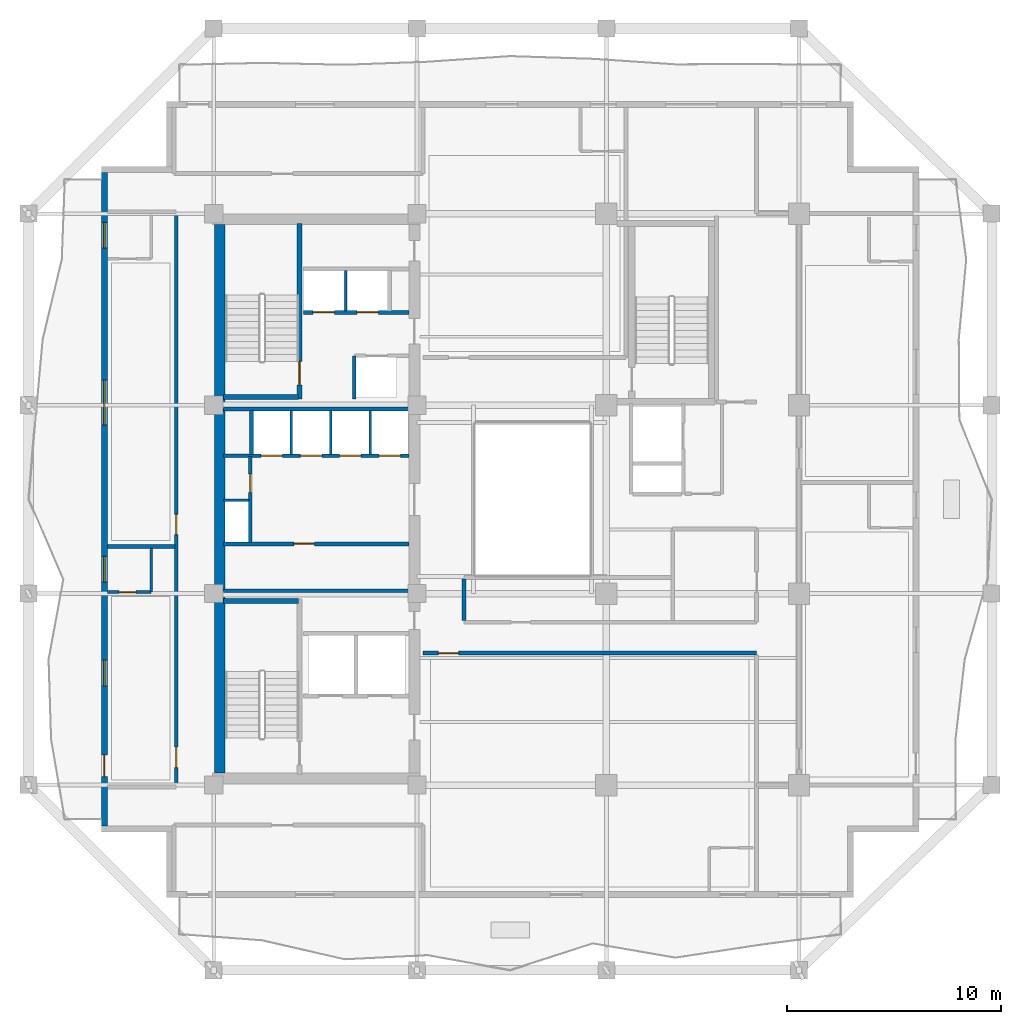
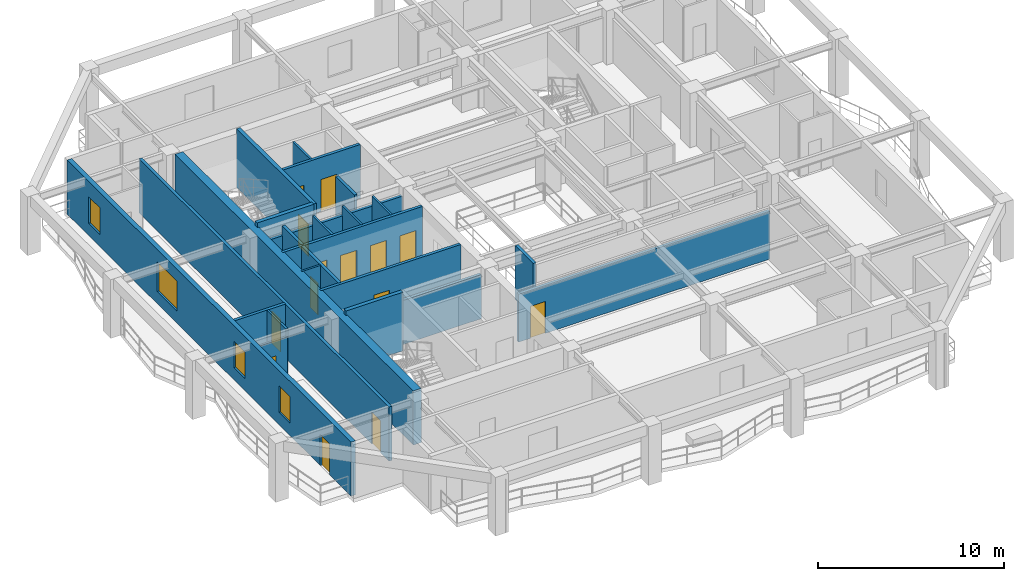
# One storey, part 3 of 10: 24 walls, 14 doors, 4 windows, 18 openings.
"""IFC4 building model written with IfcOpenShell, lengths in metres."""

from ifc_helpers import new_model, si_unit, direction, frame, frame_2d, origin, place, context, subcontext, project, spatial, rectangle, extrude, material, layer, layer_set, type_object, element, fill, save


model = new_model("IFC4")

# Units and contexts
model_context = context("Model", 3, precision=1e-05, world=origin(), true_north=direction((0.0, 1.0)))
body_context = subcontext(model_context, "Body", "Model", "MODEL_VIEW")
ifc_project = project(units=[si_unit("LENGTHUNIT", "METRE"), si_unit("AREAUNIT", "SQUARE_METRE"), si_unit("VOLUMEUNIT", "CUBIC_METRE"), si_unit("PLANEANGLEUNIT", "RADIAN"), si_unit("MASSUNIT", "GRAM", prefix="KILO")], contexts=[model_context])

# Site, building, storey
site_placement = place(None, origin())
site = spatial("IfcSite", under=ifc_project, at=site_placement, CompositionType="ELEMENT")
building_placement = place(site_placement, origin())
building = spatial("IfcBuilding", under=site, at=building_placement, Name="Kundavana Baori Tower", CompositionType="ELEMENT")
storey_placement = place(building_placement, frame((0.0, 0.0, 150.199951171875)))
storey = spatial("IfcBuildingStorey", under=building, at=storey_placement, Name="L36", CompositionType="ELEMENT", Elevation=150.199951171875)

# Wall
ifc_material_1 = material(Name="Concrete C50/60", Category="concrete")
ifc_layer_1 = layer(ifc_material_1, 0.39990234375, Name="WL-CORE-400")
ifc_layer_set_1 = layer_set([ifc_layer_1], Name="Concrete C50/60")
wall_type_1 = type_object("IfcWallType", Name="WL-CORE-400", PredefinedType="SHEAR", material=ifc_layer_set_1)
wall_1_placement = place(storey_placement, frame((15.89990234375, 23.860107421875, 0.0), z_axis=(0.0, 0.0, 1.0), x_axis=(1.0, 0.0, 0.0)))
element("IfcWall", 1, at=wall_1_placement, inside=storey, type_object=wall_type_1, Name="WL-L36-ST1-N", PredefinedType="SHEAR", context=body_context, shape_type="SweptSolid", body=[
    extrude(rectangle(XDim=3.52001953125, YDim=0.239990234375, at=frame_2d((1.760009765625, 0.0))), origin(), (0.0, 0.0, 1.0), 3.85009765625),
])

# Wall, opening, door
wall_2_placement = place(storey_placement, frame((19.4599609375, 33.300048828125, 0.0), z_axis=(0.0, 0.0, 1.0), x_axis=(0.0, 1.0, 0.0)))
wall_2 = element("IfcWall", 2, at=wall_2_placement, inside=storey, type_object=wall_type_1, Name="WL-L36-ST2-E", PredefinedType="SHEAR", context=body_context, shape_type="SweptSolid", body=[
    extrude(rectangle(XDim=8.179931640625, YDim=0.239990234375, at=frame_2d((4.08984375, 0.0))), origin(), (0.0, 0.0, 1.0), 3.85009765625),
])
opening_1_placement = place(wall_2_placement, frame((0.64990234375, 0.0, 0.0)))
opening_1 = element("IfcOpeningElement", 3, at=opening_1_placement, cuts=wall_2, Name="Opening FD-110", PredefinedType="OPENING", context=body_context, shape_type="SweptSolid", body=[
    extrude(rectangle(XDim=1.10009765625, YDim=2.10009765625, at=frame_2d((0.550048828125, 1.050048828125))), frame((0.0, 0.1298828125, 0.0), z_axis=(0.0, -1.0, 0.0), x_axis=(1.0, 0.0, 0.0)), (0.0, 0.0, 1.0), 0.260009765625),
])
ifc_material_2 = material(Name="Galvanised Steel Fire-Rated Door Leaf", Category="steel")
door_type_1 = type_object("IfcDoorType", Name="DR-FD120-1100", OperationType="NOTDEFINED", PredefinedType="DOOR", material=ifc_material_2)
door_1_placement = place(opening_1_placement, origin())
door_1 = element("IfcDoor", 4, at=door_1_placement, inside=storey, type_object=door_type_1, Name="DR-L36-ST2", OperationType="SINGLE_SWING_RIGHT", OverallHeight=2.10009765625, OverallWidth=1.10009765625, PredefinedType="DOOR", context=body_context, shape_type="SweptSolid", body=[
    extrude(rectangle(XDim=1.10009765625, YDim=2.10009765625, at=frame_2d((0.550048828125, 1.050048828125))), frame((0.0, 0.02490234375, 0.0), z_axis=(0.0, -1.0, 0.0), x_axis=(1.0, 0.0, 0.0)), (0.0, 0.0, 1.0), 0.050048828125),
])
fill(opening_1, door_1)

# Walls
wall_3_placement = place(storey_placement, frame((15.89990234375, 33.389892578125, 0.0), z_axis=(0.0, 0.0, 1.0), x_axis=(1.0, 0.0, 0.0)))
element("IfcWall", 5, at=wall_3_placement, inside=storey, type_object=wall_type_1, Name="WL-L36-ST2-S", PredefinedType="SHEAR", context=body_context, shape_type="SweptSolid", body=[
    extrude(rectangle(XDim=3.52001953125, YDim=0.239990234375, at=frame_2d((1.760009765625, 0.0))), origin(), (0.0, 0.0, 1.0), 3.85009765625),
])
ifc_material_3 = material(Name="Concrete C50/60", Category="concrete")
ifc_layer_2 = layer(ifc_material_3, 0.5, Name="WL-CORE-500")
ifc_layer_set_2 = layer_set([ifc_layer_2], Name="Concrete C50/60")
wall_type_2 = type_object("IfcWallType", Name="WL-CORE-500", PredefinedType="SHEAR", material=ifc_layer_set_2)
wall_4_placement = place(storey_placement, frame((15.739990234375, 15.81005859375, 0.0), z_axis=(0.0, 0.0, 1.0), x_axis=(0.0, 1.0, 0.0)))
element("IfcWall", 6, at=wall_4_placement, inside=storey, type_object=wall_type_2, Name="L36 Offset Core West Shear Wall", PredefinedType="SHEAR", context=body_context, shape_type="SweptSolid", body=[
    extrude(rectangle(XDim=25.6298828125, YDim=0.5, at=frame_2d((12.81494140625, 0.0))), origin(), (0.0, 0.0, 1.0), 3.550048828125),
])

# Wall, openings, door, windows
ifc_material_4 = material(Name="Red-Buff Dholpur Sandstone Cladding on Concrete C40/50", Category="masonry")
ifc_layer_3 = layer(ifc_material_4, 0.280029296875, Name="WL-EXT-SAND-280")
ifc_layer_set_3 = layer_set([ifc_layer_3], Name="Red-Buff Dholpur Sandstone Cladding on Concrete C40/50")
wall_type_3 = type_object("IfcWallType", Name="WL-EXT-SAND-280", PredefinedType="STANDARD", material=ifc_layer_set_3)
wall_5_placement = place(storey_placement, frame((10.340087890625, 43.8701171875, 0.0), z_axis=(0.0, 0.0, 1.0), x_axis=(0.0, -1.0, 0.0)))
wall_5 = element("IfcWall", 7, at=wall_5_placement, inside=storey, type_object=wall_type_3, Name="L36 Exterior Insulated Facade Wall 10", PredefinedType="STANDARD", context=body_context, shape_type="SweptSolid", body=[
    extrude(rectangle(XDim=30.5400390625, YDim=0.280029296875, at=frame_2d((15.27001953125, 0.0))), origin(), (0.0, 0.0, 1.0), 3.550048828125),
])
opening_2_placement = place(wall_5_placement, frame((27.219970703125, 0.0, 0.0)))
opening_2 = element("IfcOpeningElement", 8, at=opening_2_placement, cuts=wall_5, Name="Opening BD-1", PredefinedType="OPENING", context=body_context, shape_type="SweptSolid", body=[
    extrude(rectangle(XDim=1.0, YDim=2.050048828125, at=frame_2d((0.5, 1.02490234375))), frame((0.0, 0.14990234375, 0.0), z_axis=(0.0, -1.0, 0.0), x_axis=(1.0, 0.0, 0.0)), (0.0, 0.0, 1.0), 0.300048828125),
])
opening_3_placement = place(wall_5_placement, frame((22.780029296875, 0.0, 0.800048828125)))
opening_3 = element("IfcOpeningElement", 9, at=opening_3_placement, cuts=wall_5, Name="Opening W-03", PredefinedType="OPENING", context=body_context, shape_type="SweptSolid", body=[
    extrude(rectangle(XDim=1.199951171875, YDim=1.75, at=frame_2d((0.60009765625, 0.875))), frame((0.0, 0.14990234375, 0.0), z_axis=(0.0, -1.0, 0.0), x_axis=(1.0, 0.0, 0.0)), (0.0, 0.0, 1.0), 0.300048828125),
])
opening_4_placement = place(wall_5_placement, frame((17.93505859375, 0.0, 0.800048828125)))
opening_4 = element("IfcOpeningElement", 10, at=opening_4_placement, cuts=wall_5, Name="Opening W-03", PredefinedType="OPENING", context=body_context, shape_type="SweptSolid", body=[
    extrude(rectangle(XDim=1.199951171875, YDim=1.75, at=frame_2d((0.60009765625, 0.875))), frame((0.0, 0.14990234375, 0.0), z_axis=(0.0, -1.0, 0.0), x_axis=(1.0, 0.0, 0.0)), (0.0, 0.0, 1.0), 0.300048828125),
])
opening_5_placement = place(wall_5_placement, frame((9.695068359375, 0.0, 0.800048828125)))
opening_5 = element("IfcOpeningElement", 11, at=opening_5_placement, cuts=wall_5, Name="Opening W-05", PredefinedType="OPENING", context=body_context, shape_type="SweptSolid", body=[
    extrude(rectangle(XDim=2.10009765625, YDim=1.949951171875, at=frame_2d((1.050048828125, 0.97509765625))), frame((0.0, 0.14990234375, 0.0), z_axis=(0.0, -1.0, 0.0), x_axis=(1.0, 0.0, 0.0)), (0.0, 0.0, 1.0), 0.300048828125),
])
opening_6_placement = place(wall_5_placement, frame((2.324951171875, 0.0, 0.800048828125)))
opening_6 = element("IfcOpeningElement", 12, at=opening_6_placement, cuts=wall_5, Name="Opening W-03", PredefinedType="OPENING", context=body_context, shape_type="SweptSolid", body=[
    extrude(rectangle(XDim=1.199951171875, YDim=1.75, at=frame_2d((0.60009765625, 0.875))), frame((0.0, 0.14990234375, 0.0), z_axis=(0.0, -1.0, 0.0), x_axis=(1.0, 0.0, 0.0)), (0.0, 0.0, 1.0), 0.300048828125),
])
ifc_material_5 = material(Name="Architectural Patinated Bronze Metalwork")
door_type_2 = type_object("IfcDoorType", Name="DR-EXT-LOG-1000", OperationType="NOTDEFINED", PredefinedType="DOOR", material=ifc_material_5)
door_2_placement = place(opening_2_placement, frame((1.0, 0.0, 0.0), z_axis=(0.0, 0.0, 1.0), x_axis=(-1.0, 0.0, 0.0)))
door_2 = element("IfcDoor", 13, at=door_2_placement, inside=storey, type_object=door_type_2, Name="L36 Loggia Balcony Access Door W", OperationType="SINGLE_SWING_RIGHT", OverallHeight=2.050048828125, OverallWidth=1.0, PredefinedType="DOOR", context=body_context, shape_type="SweptSolid", body=[
    extrude(rectangle(XDim=1.0, YDim=2.050048828125, at=frame_2d((0.5, 1.02490234375))), frame((0.0, 0.02490234375, 0.0), z_axis=(0.0, -1.0, 0.0), x_axis=(1.0, 0.0, 0.0)), (0.0, 0.0, 1.0), 0.050048828125),
])
fill(opening_2, door_2)
ifc_material_6 = material(Name="Double-Glazed Solar-Control Low-E Insulated Glass", Category="glass")
window_type_1 = type_object("IfcWindowType", Name="WIN-LOG-1200x1750", PartitioningType="SINGLE_PANEL", PredefinedType="WINDOW", material=ifc_material_6)
window_1_placement = place(opening_3_placement, origin())
window_1 = element("IfcWindow", 14, at=window_1_placement, inside=storey, type_object=window_type_1, Name="L36 Recessed Loggia Window W-1", OverallHeight=1.75, OverallWidth=1.199951171875, PartitioningType="SINGLE_PANEL", PredefinedType="WINDOW", context=body_context, shape_type="SweptSolid", body=[
    extrude(rectangle(XDim=1.199951171875, YDim=1.75, at=frame_2d((0.60009765625, 0.875))), frame((0.0, 0.030029296875, 0.0), z_axis=(0.0, -1.0, 0.0), x_axis=(1.0, 0.0, 0.0)), (0.0, 0.0, 1.0), 0.06005859375),
])
fill(opening_3, window_1)
window_2_placement = place(opening_4_placement, origin())
window_2 = element("IfcWindow", 15, at=window_2_placement, inside=storey, type_object=window_type_1, Name="L36 Recessed Loggia Window W-2", OverallHeight=1.75, OverallWidth=1.199951171875, PartitioningType="SINGLE_PANEL", PredefinedType="WINDOW", context=body_context, shape_type="SweptSolid", body=[
    extrude(rectangle(XDim=1.199951171875, YDim=1.75, at=frame_2d((0.60009765625, 0.875))), frame((0.0, 0.030029296875, 0.0), z_axis=(0.0, -1.0, 0.0), x_axis=(1.0, 0.0, 0.0)), (0.0, 0.0, 1.0), 0.06005859375),
])
fill(opening_4, window_2)
window_3_placement = place(opening_6_placement, origin())
window_3 = element("IfcWindow", 16, at=window_3_placement, inside=storey, type_object=window_type_1, Name="L36 Recessed Loggia Window W-4", OverallHeight=1.75, OverallWidth=1.199951171875, PartitioningType="SINGLE_PANEL", PredefinedType="WINDOW", context=body_context, shape_type="SweptSolid", body=[
    extrude(rectangle(XDim=1.199951171875, YDim=1.75, at=frame_2d((0.60009765625, 0.875))), frame((0.0, 0.030029296875, 0.0), z_axis=(0.0, -1.0, 0.0), x_axis=(1.0, 0.0, 0.0)), (0.0, 0.0, 1.0), 0.06005859375),
])
fill(opening_6, window_3)
ifc_material_7 = material(Name="Double-Glazed Solar-Control Low-E Insulated Glass", Category="glass")
window_type_2 = type_object("IfcWindowType", Name="WIN-LOG-2100x1950", PartitioningType="SINGLE_PANEL", PredefinedType="WINDOW", material=ifc_material_7)
window_4_placement = place(opening_5_placement, origin())
window_4 = element("IfcWindow", 17, at=window_4_placement, inside=storey, type_object=window_type_2, Name="L36 Recessed Loggia Window W-3", OverallHeight=1.949951171875, OverallWidth=2.10009765625, PartitioningType="SINGLE_PANEL", PredefinedType="WINDOW", context=body_context, shape_type="SweptSolid", body=[
    extrude(rectangle(XDim=2.10009765625, YDim=1.949951171875, at=frame_2d((1.050048828125, 0.97509765625))), frame((0.0, 0.030029296875, 0.0), z_axis=(0.0, -1.0, 0.0), x_axis=(1.0, 0.0, 0.0)), (0.0, 0.0, 1.0), 0.06005859375),
])
fill(opening_5, window_4)

# Walls
ifc_material_8 = material(Name="Acoustic Gypsum Plasterboard on Galvanised Steel Studs", Category="steel")
ifc_layer_4 = layer(ifc_material_8, 0.1201171875, Name="WL-PART-120")
ifc_layer_set_4 = layer_set([ifc_layer_4], Name="Acoustic Gypsum Plasterboard on Galvanised Steel Studs")
wall_type_4 = type_object("IfcWallType", Name="WL-PART-120", PredefinedType="PARTITIONING", material=ifc_layer_set_4)
wall_6_placement = place(storey_placement, frame((15.89990234375, 28.56005859375, 0.0), z_axis=(0.0, 0.0, 1.0), x_axis=(1.0, 0.0, 0.0)))
element("IfcWall", 18, at=wall_6_placement, inside=storey, type_object=wall_type_4, Name="WL-L36-RSRW-N", PredefinedType="PARTITIONING", context=body_context, shape_type="SweptSolid", body=[
    extrude(rectangle(XDim=1.2001953125, YDim=0.1201171875, at=frame_2d((0.60009765625, 0.0))), origin(), (0.0, 0.0, 1.0), 3.550048828125),
])
for number, where, z_axis, x_axis, name in (
    (19, (19.080078125, 30.699951171875, 0.0), (0.0, 0.0, 1.0), (0.0, 1.0, 0.0), "WL-L36-LPMID-D1"),
    (20, (20.919921875, 30.699951171875, 0.0), (0.0, 0.0, 1.0), (0.0, 1.0, 0.0), "WL-L36-LPMID-D2"),
    (21, (22.760009765625, 30.699951171875, 0.0), (0.0, 0.0, 1.0), (0.0, 1.0, 0.0), "WL-L36-LPMID-D3"),
):
    element("IfcWall", number, at=place(storey_placement, frame(where, z_axis=z_axis, x_axis=x_axis)), inside=storey, type_object=wall_type_4, Name=name, PredefinedType="PARTITIONING", context=body_context, shape_type="SweptSolid", body=[
        extrude(rectangle(XDim=2.050048828125, YDim=0.1201171875, at=frame_2d((1.02490234375, 0.0))), origin(), (0.0, 0.0, 1.0), 3.550048828125),
    ])
wall_7_placement = place(storey_placement, frame((21.6201171875, 37.39990234375, 0.0), z_axis=(0.0, 0.0, 1.0), x_axis=(0.0, 1.0, 0.0)))
element("IfcWall", 22, at=wall_7_placement, inside=storey, type_object=wall_type_4, Name="WL-L36-HR-DIV1", PredefinedType="PARTITIONING", context=body_context, shape_type="SweptSolid", body=[
    extrude(rectangle(XDim=1.900146484375, YDim=0.1201171875, at=frame_2d((0.9501953125, 0.0))), origin(), (0.0, 0.0, 1.0), 3.550048828125),
])

# Wall, opening, door
ifc_material_9 = material(Name="Autoclaved Aerated Concrete Blockwork Masonry", Category="masonry")
ifc_layer_5 = layer(ifc_material_9, 0.18505859375, Name="WL-PART-180")
ifc_layer_set_5 = layer_set([ifc_layer_5], Name="Autoclaved Aerated Concrete Blockwork Masonry")
wall_type_5 = type_object("IfcWallType", Name="WL-PART-180", PredefinedType="SOLIDWALL", material=ifc_layer_set_5)
wall_8_placement = place(storey_placement, frame((25.219970703125, 21.419921875, 0.0), z_axis=(0.0, 0.0, 1.0), x_axis=(1.0, 0.0, 0.0)))
wall_8 = element("IfcWall", 23, at=wall_8_placement, inside=storey, type_object=wall_type_5, Name="WL-L36-HS", PredefinedType="SOLIDWALL", context=body_context, shape_type="SweptSolid", body=[
    extrude(rectangle(XDim=15.60009765625, YDim=0.18505859375, at=frame_2d((7.800048828125, 0.0))), origin(), (0.0, 0.0, 1.0), 3.150146484375),
])
opening_7_placement = place(wall_8_placement, frame((0.72998046875, 0.0, 0.0)))
opening_7 = element("IfcOpeningElement", 24, at=opening_7_placement, cuts=wall_8, Name="Opening FD-095", PredefinedType="OPENING", context=body_context, shape_type="SweptSolid", body=[
    extrude(rectangle(XDim=0.949951171875, YDim=2.10009765625, at=frame_2d((0.47509765625, 1.050048828125))), frame((0.0, 0.1025390625, 0.0), z_axis=(0.0, -1.0, 0.0), x_axis=(1.0, 0.0, 0.0)), (0.0, 0.0, 1.0), 0.205078125),
])
ifc_material_10 = material(Name="Engineered Teak Fire-Rated Timber Door Leaf", Category="wood")
door_type_3 = type_object("IfcDoorType", Name="DR-FD60-950", OperationType="NOTDEFINED", PredefinedType="DOOR", material=ifc_material_10)
door_3_placement = place(opening_7_placement, frame((0.949951171875, 0.0, 0.0), z_axis=(0.0, 0.0, 1.0), x_axis=(-1.0, 0.0, 0.0)))
door_3 = element("IfcDoor", 25, at=door_3_placement, inside=storey, type_object=door_type_3, Name="DR-L36-HK-S1-ENT", OperationType="SINGLE_SWING_RIGHT", OverallHeight=2.10009765625, OverallWidth=0.949951171875, PredefinedType="DOOR", context=body_context, shape_type="SweptSolid", body=[
    extrude(rectangle(XDim=0.949951171875, YDim=2.10009765625, at=frame_2d((0.47509765625, 1.050048828125))), frame((0.0, 0.02490234375, 0.0), z_axis=(0.0, -1.0, 0.0), x_axis=(1.0, 0.0, 0.0)), (0.0, 0.0, 1.0), 0.050048828125),
])
fill(opening_7, door_3)

# Wall, openings, doors
wall_9_placement = place(storey_placement, frame((13.699951171875, 15.159912109375, 0.0), z_axis=(0.0, 0.0, 1.0), x_axis=(0.0, 1.0, 0.0)))
wall_9 = element("IfcWall", 26, at=wall_9_placement, inside=storey, type_object=wall_type_5, Name="WL-L36-HW", PredefinedType="SOLIDWALL", context=body_context, shape_type="SweptSolid", body=[
    extrude(rectangle(XDim=26.880126953125, YDim=0.18505859375, at=frame_2d((13.43994140625, 0.0))), origin(), (0.0, 0.0, 1.0), 3.550048828125),
])
opening_8_placement = place(wall_9_placement, frame((0.909912109375, 0.0, 0.0)))
opening_8 = element("IfcOpeningElement", 27, at=opening_8_placement, cuts=wall_9, Name="Opening FD-095", PredefinedType="OPENING", context=body_context, shape_type="SweptSolid", body=[
    extrude(rectangle(XDim=0.949951171875, YDim=2.10009765625, at=frame_2d((0.47509765625, 1.050048828125))), frame((0.0, 0.1025390625, 0.0), z_axis=(0.0, -1.0, 0.0), x_axis=(1.0, 0.0, 0.0)), (0.0, 0.0, 1.0), 0.205078125),
])
opening_9_placement = place(wall_9_placement, frame((11.7900390625, 0.0, 0.0)))
opening_9 = element("IfcOpeningElement", 28, at=opening_9_placement, cuts=wall_9, Name="Opening FD-095", PredefinedType="OPENING", context=body_context, shape_type="SweptSolid", body=[
    extrude(rectangle(XDim=0.949951171875, YDim=2.10009765625, at=frame_2d((0.47509765625, 1.050048828125))), frame((0.0, 0.1025390625, 0.0), z_axis=(0.0, -1.0, 0.0), x_axis=(1.0, 0.0, 0.0)), (0.0, 0.0, 1.0), 0.205078125),
])
door_4_placement = place(opening_8_placement, origin())
door_4 = element("IfcDoor", 29, at=door_4_placement, inside=storey, type_object=door_type_3, Name="DR-L36-HK-W1-ENT", OperationType="SINGLE_SWING_LEFT", OverallHeight=2.10009765625, OverallWidth=0.949951171875, PredefinedType="DOOR", context=body_context, shape_type="SweptSolid", body=[
    extrude(rectangle(XDim=0.949951171875, YDim=2.10009765625, at=frame_2d((0.47509765625, 1.050048828125))), frame((0.0, 0.02490234375, 0.0), z_axis=(0.0, -1.0, 0.0), x_axis=(1.0, 0.0, 0.0)), (0.0, 0.0, 1.0), 0.050048828125),
])
fill(opening_8, door_4)
door_5_placement = place(opening_9_placement, origin())
door_5 = element("IfcDoor", 30, at=door_5_placement, inside=storey, type_object=door_type_3, Name="DR-L36-HK-W2-ENT", OperationType="SINGLE_SWING_LEFT", OverallHeight=2.10009765625, OverallWidth=0.949951171875, PredefinedType="DOOR", context=body_context, shape_type="SweptSolid", body=[
    extrude(rectangle(XDim=0.949951171875, YDim=2.10009765625, at=frame_2d((0.47509765625, 1.050048828125))), frame((0.0, 0.02490234375, 0.0), z_axis=(0.0, -1.0, 0.0), x_axis=(1.0, 0.0, 0.0)), (0.0, 0.0, 1.0), 0.050048828125),
])
fill(opening_9, door_5)

# Walls
wall_10_placement = place(storey_placement, frame((27.14990234375, 22.93994140625, 0.0), z_axis=(0.0, 0.0, 1.0), x_axis=(0.0, 1.0, 0.0)))
element("IfcWall", 31, at=wall_10_placement, inside=storey, type_object=wall_type_5, Name="WL-L36-HPN2", PredefinedType="SOLIDWALL", context=body_context, shape_type="SweptSolid", body=[
    extrude(rectangle(XDim=1.93994140625, YDim=0.18505859375, at=frame_2d((0.969970703125, 0.0))), origin(), (0.0, 0.0, 1.0), 3.550048828125),
])
wall_11_placement = place(storey_placement, frame((10.47998046875, 26.39990234375, 0.0), z_axis=(0.0, 0.0, 1.0), x_axis=(1.0, 0.0, 0.0)))
element("IfcWall", 32, at=wall_11_placement, inside=storey, type_object=wall_type_5, Name="WL-L36-HWD1", PredefinedType="SOLIDWALL", context=body_context, shape_type="SweptSolid", body=[
    extrude(rectangle(XDim=3.159912109375, YDim=0.18505859375, at=frame_2d((1.580078125, 0.0))), origin(), (0.0, 0.0, 1.0), 3.550048828125),
])

# Wall, opening, door
ifc_material_11 = material(Name="Autoclaved Aerated Concrete Blockwork Masonry", Category="masonry")
ifc_layer_6 = layer(ifc_material_11, 0.179931640625, Name="WL-SHAFT-180")
ifc_layer_set_6 = layer_set([ifc_layer_6], Name="Autoclaved Aerated Concrete Blockwork Masonry")
wall_type_6 = type_object("IfcWallType", Name="WL-SHAFT-180", PredefinedType="SOLIDWALL", material=ifc_layer_set_6)
wall_12_placement = place(storey_placement, frame((15.89990234375, 26.52001953125, 0.0), z_axis=(0.0, 0.0, 1.0), x_axis=(1.0, 0.0, 0.0)))
wall_12 = element("IfcWall", 33, at=wall_12_placement, inside=storey, type_object=wall_type_6, Name="WL-L36-LPLOW-N", PredefinedType="SOLIDWALL", context=body_context, shape_type="SweptSolid", body=[
    extrude(rectangle(XDim=8.68017578125, YDim=0.179931640625, at=frame_2d((4.340087890625, 0.0))), origin(), (0.0, 0.0, 1.0), 3.550048828125),
])
opening_10_placement = place(wall_12_placement, frame((3.300048828125, 0.0, 0.0)))
opening_10 = element("IfcOpeningElement", 34, at=opening_10_placement, cuts=wall_12, Name="Opening FD-095", PredefinedType="OPENING", context=body_context, shape_type="SweptSolid", body=[
    extrude(rectangle(XDim=0.949951171875, YDim=2.10009765625, at=frame_2d((0.47509765625, 1.050048828125))), frame((0.0, 0.10009765625, 0.0), z_axis=(0.0, -1.0, 0.0), x_axis=(1.0, 0.0, 0.0)), (0.0, 0.0, 1.0), 0.199951171875),
])
door_6_placement = place(opening_10_placement, origin())
door_6 = element("IfcDoor", 35, at=door_6_placement, inside=storey, type_object=door_type_3, Name="DR-L36-FRLOW1", OperationType="SINGLE_SWING_LEFT", OverallHeight=2.10009765625, OverallWidth=0.949951171875, PredefinedType="DOOR", context=body_context, shape_type="SweptSolid", body=[
    extrude(rectangle(XDim=0.949951171875, YDim=2.10009765625, at=frame_2d((0.47509765625, 1.050048828125))), frame((0.0, 0.02490234375, 0.0), z_axis=(0.0, -1.0, 0.0), x_axis=(1.0, 0.0, 0.0)), (0.0, 0.0, 1.0), 0.050048828125),
])
fill(opening_10, door_6)

# Wall
wall_13_placement = place(storey_placement, frame((15.89990234375, 24.330078125, 0.0), z_axis=(0.0, 0.0, 1.0), x_axis=(1.0, 0.0, 0.0)))
element("IfcWall", 36, at=wall_13_placement, inside=storey, type_object=wall_type_6, Name="WL-L36-LPLOW-S", PredefinedType="SOLIDWALL", context=body_context, shape_type="SweptSolid", body=[
    extrude(rectangle(XDim=8.68017578125, YDim=0.179931640625, at=frame_2d((4.340087890625, 0.0))), origin(), (0.0, 0.0, 1.0), 2.900146484375),
])

# Wall, opening, door
wall_14_placement = place(storey_placement, frame((17.159912109375, 26.580078125, 0.0), z_axis=(0.0, 0.0, 1.0), x_axis=(0.0, 1.0, 0.0)))
wall_14 = element("IfcWall", 37, at=wall_14_placement, inside=storey, type_object=wall_type_6, Name="WL-L36-RSRW-E", PredefinedType="SOLIDWALL", context=body_context, shape_type="SweptSolid", body=[
    extrude(rectangle(XDim=4.02001953125, YDim=0.179931640625, at=frame_2d((2.010009765625, 0.0))), origin(), (0.0, 0.0, 1.0), 3.550048828125),
])
opening_11_placement = place(wall_14_placement, frame((2.35009765625, 0.0, 0.0)))
opening_11 = element("IfcOpeningElement", 38, at=opening_11_placement, cuts=wall_14, Name="Opening FD-085", PredefinedType="OPENING", context=body_context, shape_type="SweptSolid", body=[
    extrude(rectangle(XDim=0.85009765625, YDim=2.06005859375, at=frame_2d((0.425048828125, 1.030029296875))), frame((0.0, 0.10009765625, 0.0), z_axis=(0.0, -1.0, 0.0), x_axis=(1.0, 0.0, 0.0)), (0.0, 0.0, 1.0), 0.199951171875),
])
ifc_material_12 = material(Name="Galvanised Steel Fire-Rated Door Leaf", Category="steel")
door_type_4 = type_object("IfcDoorType", Name="DR-FD60-850", OperationType="NOTDEFINED", PredefinedType="DOOR", material=ifc_material_12)
door_7_placement = place(opening_11_placement, origin())
door_7 = element("IfcDoor", 39, at=door_7_placement, inside=storey, type_object=door_type_4, Name="DR-L36-CLN", OperationType="SINGLE_SWING_RIGHT", OverallHeight=2.06005859375, OverallWidth=0.85009765625, PredefinedType="DOOR", context=body_context, shape_type="SweptSolid", body=[
    extrude(rectangle(XDim=0.85009765625, YDim=2.06005859375, at=frame_2d((0.425048828125, 1.030029296875))), frame((0.0, 0.02490234375, 0.0), z_axis=(0.0, -1.0, 0.0), x_axis=(1.0, 0.0, 0.0)), (0.0, 0.0, 1.0), 0.050048828125),
])
fill(opening_11, door_7)

# Wall, openings, doors
wall_15_placement = place(storey_placement, frame((15.89990234375, 30.639892578125, 0.0), z_axis=(0.0, 0.0, 1.0), x_axis=(1.0, 0.0, 0.0)))
wall_15 = element("IfcWall", 40, at=wall_15_placement, inside=storey, type_object=wall_type_6, Name="WL-L36-LPMID-S", PredefinedType="SOLIDWALL", context=body_context, shape_type="SweptSolid", body=[
    extrude(rectangle(XDim=8.68017578125, YDim=0.179931640625, at=frame_2d((4.340087890625, 0.0))), origin(), (0.0, 0.0, 1.0), 3.550048828125),
])
opening_12_placement = place(wall_15_placement, frame((1.760009765625, 0.0, 0.0)))
opening_12 = element("IfcOpeningElement", 41, at=opening_12_placement, cuts=wall_15, Name="Opening LD-100", PredefinedType="OPENING", context=body_context, shape_type="SweptSolid", body=[
    extrude(rectangle(XDim=1.0, YDim=2.10009765625, at=frame_2d((0.5, 1.050048828125))), frame((0.0, 0.10009765625, 0.0), z_axis=(0.0, -1.0, 0.0), x_axis=(1.0, 0.0, 0.0)), (0.0, 0.0, 1.0), 0.199951171875),
])
opening_13_placement = place(wall_15_placement, frame((3.60009765625, 0.0, 0.0)))
opening_13 = element("IfcOpeningElement", 42, at=opening_13_placement, cuts=wall_15, Name="Opening LD-100", PredefinedType="OPENING", context=body_context, shape_type="SweptSolid", body=[
    extrude(rectangle(XDim=1.0, YDim=2.10009765625, at=frame_2d((0.5, 1.050048828125))), frame((0.0, 0.10009765625, 0.0), z_axis=(0.0, -1.0, 0.0), x_axis=(1.0, 0.0, 0.0)), (0.0, 0.0, 1.0), 0.199951171875),
])
opening_14_placement = place(wall_15_placement, frame((5.43994140625, 0.0, 0.0)))
opening_14 = element("IfcOpeningElement", 43, at=opening_14_placement, cuts=wall_15, Name="Opening LD-100", PredefinedType="OPENING", context=body_context, shape_type="SweptSolid", body=[
    extrude(rectangle(XDim=1.0, YDim=2.10009765625, at=frame_2d((0.5, 1.050048828125))), frame((0.0, 0.10009765625, 0.0), z_axis=(0.0, -1.0, 0.0), x_axis=(1.0, 0.0, 0.0)), (0.0, 0.0, 1.0), 0.199951171875),
])
opening_15_placement = place(wall_15_placement, frame((7.280029296875, 0.0, 0.0)))
opening_15 = element("IfcOpeningElement", 44, at=opening_15_placement, cuts=wall_15, Name="Opening LD-100", PredefinedType="OPENING", context=body_context, shape_type="SweptSolid", body=[
    extrude(rectangle(XDim=1.0, YDim=2.10009765625, at=frame_2d((0.5, 1.050048828125))), frame((0.0, 0.10009765625, 0.0), z_axis=(0.0, -1.0, 0.0), x_axis=(1.0, 0.0, 0.0)), (0.0, 0.0, 1.0), 0.199951171875),
])
ifc_material_13 = material(Name="Galvanised Steel Fire-Rated Door Leaf", Category="steel")
door_type_5 = type_object("IfcDoorType", Name="DR-SLIDE-LD1000", OperationType="NOTDEFINED", PredefinedType="DOOR", material=ifc_material_13)
door_8_placement = place(opening_12_placement, frame((1.0, 0.0, 0.0), z_axis=(0.0, 0.0, 1.0), x_axis=(-1.0, 0.0, 0.0)))
door_8 = element("IfcDoor", 45, at=door_8_placement, inside=storey, type_object=door_type_5, Name="DR-L36-LD-LP-05", OperationType="DOUBLE_DOOR_SLIDING", OverallHeight=2.10009765625, OverallWidth=1.0, PredefinedType="DOOR", context=body_context, shape_type="SweptSolid", body=[
    extrude(rectangle(XDim=1.0, YDim=2.10009765625, at=frame_2d((0.5, 1.050048828125))), frame((0.0, 0.02490234375, 0.0), z_axis=(0.0, -1.0, 0.0), x_axis=(1.0, 0.0, 0.0)), (0.0, 0.0, 1.0), 0.050048828125),
])
fill(opening_12, door_8)
door_9_placement = place(opening_13_placement, frame((1.0, 0.0, 0.0), z_axis=(0.0, 0.0, 1.0), x_axis=(-1.0, 0.0, 0.0)))
door_9 = element("IfcDoor", 46, at=door_9_placement, inside=storey, type_object=door_type_5, Name="DR-L36-LD-LP-06", OperationType="DOUBLE_DOOR_SLIDING", OverallHeight=2.10009765625, OverallWidth=1.0, PredefinedType="DOOR", context=body_context, shape_type="SweptSolid", body=[
    extrude(rectangle(XDim=1.0, YDim=2.10009765625, at=frame_2d((0.5, 1.050048828125))), frame((0.0, 0.02490234375, 0.0), z_axis=(0.0, -1.0, 0.0), x_axis=(1.0, 0.0, 0.0)), (0.0, 0.0, 1.0), 0.050048828125),
])
fill(opening_13, door_9)
door_10_placement = place(opening_14_placement, frame((1.0, 0.0, 0.0), z_axis=(0.0, 0.0, 1.0), x_axis=(-1.0, 0.0, 0.0)))
door_10 = element("IfcDoor", 47, at=door_10_placement, inside=storey, type_object=door_type_5, Name="DR-L36-LD-LP-07", OperationType="DOUBLE_DOOR_SLIDING", OverallHeight=2.10009765625, OverallWidth=1.0, PredefinedType="DOOR", context=body_context, shape_type="SweptSolid", body=[
    extrude(rectangle(XDim=1.0, YDim=2.10009765625, at=frame_2d((0.5, 1.050048828125))), frame((0.0, 0.02490234375, 0.0), z_axis=(0.0, -1.0, 0.0), x_axis=(1.0, 0.0, 0.0)), (0.0, 0.0, 1.0), 0.050048828125),
])
fill(opening_14, door_10)
door_11_placement = place(opening_15_placement, frame((1.0, 0.0, 0.0), z_axis=(0.0, 0.0, 1.0), x_axis=(-1.0, 0.0, 0.0)))
door_11 = element("IfcDoor", 48, at=door_11_placement, inside=storey, type_object=door_type_5, Name="DR-L36-LD-LP-08", OperationType="DOUBLE_DOOR_SLIDING", OverallHeight=2.10009765625, OverallWidth=1.0, PredefinedType="DOOR", context=body_context, shape_type="SweptSolid", body=[
    extrude(rectangle(XDim=1.0, YDim=2.10009765625, at=frame_2d((0.5, 1.050048828125))), frame((0.0, 0.02490234375, 0.0), z_axis=(0.0, -1.0, 0.0), x_axis=(1.0, 0.0, 0.0)), (0.0, 0.0, 1.0), 0.050048828125),
])
fill(opening_15, door_11)

# Walls
wall_16_placement = place(storey_placement, frame((15.89990234375, 32.820068359375, 0.0), z_axis=(0.0, 0.0, 1.0), x_axis=(1.0, 0.0, 0.0)))
element("IfcWall", 49, at=wall_16_placement, inside=storey, type_object=wall_type_6, Name="WL-L36-LPMID-N", PredefinedType="SOLIDWALL", context=body_context, shape_type="SweptSolid", body=[
    extrude(rectangle(XDim=8.68017578125, YDim=0.179931640625, at=frame_2d((4.340087890625, 0.0))), origin(), (0.0, 0.0, 1.0), 2.900146484375),
])
wall_17_placement = place(storey_placement, frame((17.219970703125, 30.699951171875, 0.0), z_axis=(0.0, 0.0, 1.0), x_axis=(0.0, 1.0, 0.0)))
element("IfcWall", 50, at=wall_17_placement, inside=storey, type_object=wall_type_6, Name="WL-L36-LPMID-W", PredefinedType="SOLIDWALL", context=body_context, shape_type="SweptSolid", body=[
    extrude(rectangle(XDim=2.050048828125, YDim=0.179931640625, at=frame_2d((1.02490234375, 0.0))), origin(), (0.0, 0.0, 1.0), 3.550048828125),
])
wall_18_placement = place(storey_placement, frame((22.02001953125, 33.300048828125, 0.0), z_axis=(0.0, 0.0, 1.0), x_axis=(0.0, 1.0, 0.0)))
element("IfcWall", 51, at=wall_18_placement, inside=storey, type_object=wall_type_6, Name="WL-L36-LP11-W", PredefinedType="SOLIDWALL", context=body_context, shape_type="SweptSolid", body=[
    extrude(rectangle(XDim=2.010009765625, YDim=0.179931640625, at=frame_2d((1.0048828125, 0.0))), origin(), (0.0, 0.0, 1.0), 3.550048828125),
])

# Wall, openings, doors
wall_19_placement = place(storey_placement, frame((19.639892578125, 37.340087890625, 0.0), z_axis=(0.0, 0.0, 1.0), x_axis=(1.0, 0.0, 0.0)))
wall_19 = element("IfcWall", 52, at=wall_19_placement, inside=storey, type_object=wall_type_6, Name="WL-L36-HRLOB-N", PredefinedType="SOLIDWALL", context=body_context, shape_type="SweptSolid", body=[
    extrude(rectangle(XDim=4.940185546875, YDim=0.179931640625, at=frame_2d((2.47021484375, 0.0))), origin(), (0.0, 0.0, 1.0), 3.550048828125),
])
opening_16_placement = place(wall_19_placement, frame((0.449951171875, 0.0, 0.0)))
opening_16 = element("IfcOpeningElement", 53, at=opening_16_placement, cuts=wall_19, Name="Opening LD-100", PredefinedType="OPENING", context=body_context, shape_type="SweptSolid", body=[
    extrude(rectangle(XDim=1.0, YDim=2.10009765625, at=frame_2d((0.5, 1.050048828125))), frame((0.0, 0.10009765625, 0.0), z_axis=(0.0, -1.0, 0.0), x_axis=(1.0, 0.0, 0.0)), (0.0, 0.0, 1.0), 0.199951171875),
])
opening_17_placement = place(wall_19_placement, frame((2.5, 0.0, 0.0)))
opening_17 = element("IfcOpeningElement", 54, at=opening_17_placement, cuts=wall_19, Name="Opening LD-100", PredefinedType="OPENING", context=body_context, shape_type="SweptSolid", body=[
    extrude(rectangle(XDim=1.0, YDim=2.10009765625, at=frame_2d((0.5, 1.050048828125))), frame((0.0, 0.10009765625, 0.0), z_axis=(0.0, -1.0, 0.0), x_axis=(1.0, 0.0, 0.0)), (0.0, 0.0, 1.0), 0.199951171875),
])
door_12_placement = place(opening_16_placement, frame((1.0, 0.0, 0.0), z_axis=(0.0, 0.0, 1.0), x_axis=(-1.0, 0.0, 0.0)))
door_12 = element("IfcDoor", 55, at=door_12_placement, inside=storey, type_object=door_type_5, Name="DR-L36-LD-LP09", OperationType="DOUBLE_DOOR_SLIDING", OverallHeight=2.10009765625, OverallWidth=1.0, PredefinedType="DOOR", context=body_context, shape_type="SweptSolid", body=[
    extrude(rectangle(XDim=1.0, YDim=2.10009765625, at=frame_2d((0.5, 1.050048828125))), frame((0.0, 0.02490234375, 0.0), z_axis=(0.0, -1.0, 0.0), x_axis=(1.0, 0.0, 0.0)), (0.0, 0.0, 1.0), 0.050048828125),
])
fill(opening_16, door_12)
door_13_placement = place(opening_17_placement, frame((1.0, 0.0, 0.0), z_axis=(0.0, 0.0, 1.0), x_axis=(-1.0, 0.0, 0.0)))
door_13 = element("IfcDoor", 56, at=door_13_placement, inside=storey, type_object=door_type_5, Name="DR-L36-LD-LP10", OperationType="DOUBLE_DOOR_SLIDING", OverallHeight=2.10009765625, OverallWidth=1.0, PredefinedType="DOOR", context=body_context, shape_type="SweptSolid", body=[
    extrude(rectangle(XDim=1.0, YDim=2.10009765625, at=frame_2d((0.5, 1.050048828125))), frame((0.0, 0.02490234375, 0.0), z_axis=(0.0, -1.0, 0.0), x_axis=(1.0, 0.0, 0.0)), (0.0, 0.0, 1.0), 0.050048828125),
])
fill(opening_17, door_13)

# Wall
ifc_material_14 = material(Name="Autoclaved Aerated Concrete Blockwork Masonry", Category="masonry")
ifc_layer_7 = layer(ifc_material_14, 0.125, Name="WL-WET-120")
ifc_layer_set_7 = layer_set([ifc_layer_7], Name="Autoclaved Aerated Concrete Blockwork Masonry")
wall_type_7 = type_object("IfcWallType", Name="WL-WET-120", PredefinedType="PLUMBINGWALL", material=ifc_layer_set_7)
wall_20_placement = place(storey_placement, frame((12.530029296875, 24.27001953125, 0.0), z_axis=(0.0, 0.0, 1.0), x_axis=(0.0, 1.0, 0.0)))
element("IfcWall", 57, at=wall_20_placement, inside=storey, type_object=wall_type_7, Name="WL-L36-HK-W1-BE", PredefinedType="PLUMBINGWALL", context=body_context, shape_type="SweptSolid", body=[
    extrude(rectangle(XDim=2.050048828125, YDim=0.125, at=frame_2d((1.02490234375, 0.0))), origin(), (0.0, 0.0, 1.0), 3.550048828125),
])

# Wall, opening, door
wall_21_placement = place(storey_placement, frame((10.47998046875, 24.27001953125, 0.0), z_axis=(0.0, 0.0, 1.0), x_axis=(1.0, 0.0, 0.0)))
wall_21 = element("IfcWall", 58, at=wall_21_placement, inside=storey, type_object=wall_type_7, Name="WL-L36-HK-W1-BS", PredefinedType="PLUMBINGWALL", context=body_context, shape_type="SweptSolid", body=[
    extrude(rectangle(XDim=2.050048828125, YDim=0.125, at=frame_2d((1.02490234375, 0.0))), origin(), (0.0, 0.0, 1.0), 3.050048828125),
])
opening_18_placement = place(wall_21_placement, frame((0.550048828125, 0.0, 0.0)))
opening_18 = element("IfcOpeningElement", 59, at=opening_18_placement, cuts=wall_21, Name="Opening WD-080", PredefinedType="OPENING", context=body_context, shape_type="SweptSolid", body=[
    extrude(rectangle(XDim=0.800048828125, YDim=2.050048828125, at=frame_2d((0.39990234375, 1.02490234375))), frame((0.0, 0.072509765625, 0.0), z_axis=(0.0, -1.0, 0.0), x_axis=(1.0, 0.0, 0.0)), (0.0, 0.0, 1.0), 0.14501953125),
])
ifc_material_15 = material(Name="Engineered Teak Solid-Core Timber Veneer", Category="wood")
door_type_6 = type_object("IfcDoorType", Name="DR-WET-800", OperationType="NOTDEFINED", PredefinedType="DOOR", material=ifc_material_15)
door_14_placement = place(opening_18_placement, frame((0.800048828125, 0.0, 0.0), z_axis=(0.0, 0.0, 1.0), x_axis=(-1.0, 0.0, 0.0)))
door_14 = element("IfcDoor", 60, at=door_14_placement, inside=storey, type_object=door_type_6, Name="DR-L36-HK-W1-ENS", OperationType="SINGLE_SWING_LEFT", OverallHeight=2.050048828125, OverallWidth=0.800048828125, PredefinedType="DOOR", context=body_context, shape_type="SweptSolid", body=[
    extrude(rectangle(XDim=0.800048828125, YDim=2.050048828125, at=frame_2d((0.39990234375, 1.02490234375))), frame((0.0, 0.02490234375, 0.0), z_axis=(0.0, -1.0, 0.0), x_axis=(1.0, 0.0, 0.0)), (0.0, 0.0, 1.0), 0.050048828125),
])
fill(opening_18, door_14)

save(model, "model.ifc")
